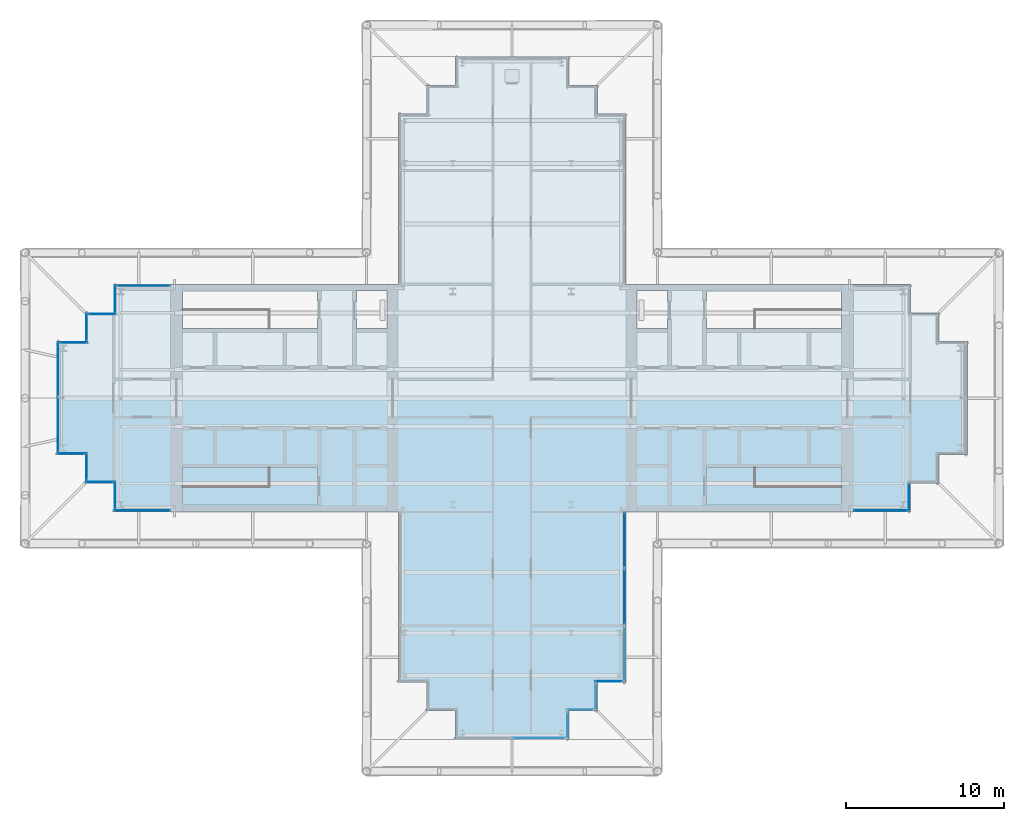
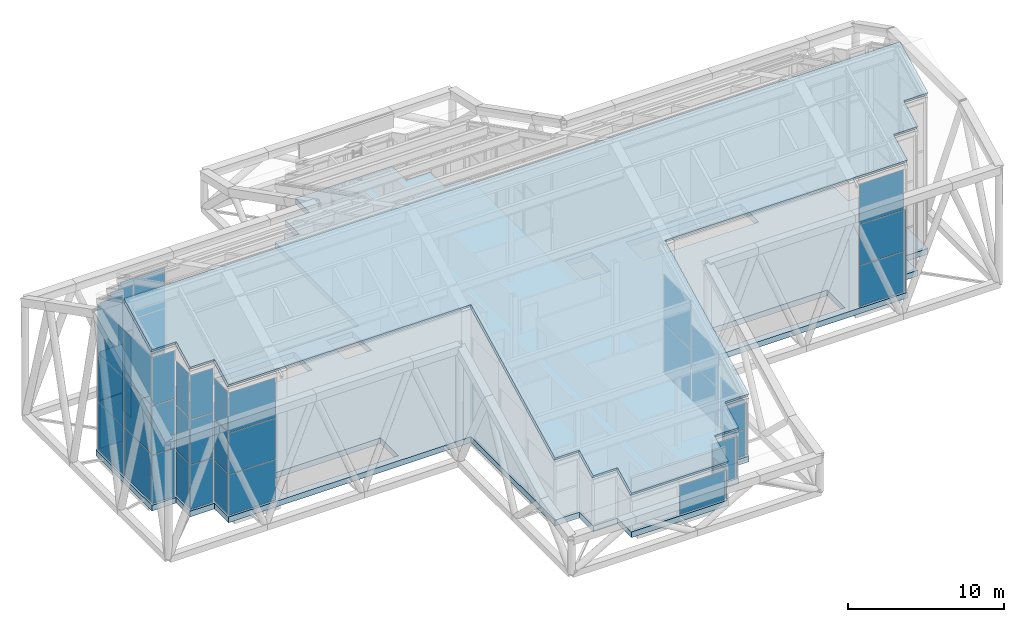
# One storey, part 18 of 25: 52 plates, 2 slabs, 22 elements without a shape of their own.
"""IFC4 building model written with IfcOpenShell, lengths in metres."""

from ifc_helpers import new_model, si_unit, direction, frame, origin, origin_2d, place, context, subcontext, project, spatial, polyline, rectangle, outline, extrude, material, layer, layer_set, type_object, element, aggregate, save


model = new_model("IFC4")

# Units and contexts
model_context = context("Model", 3, precision=1e-05, world=origin(), true_north=direction((0.0, 1.0)))
body_context = subcontext(model_context, "Body", "Model", "MODEL_VIEW")
ifc_project = project(units=[si_unit("LENGTHUNIT", "METRE"), si_unit("AREAUNIT", "SQUARE_METRE"), si_unit("VOLUMEUNIT", "CUBIC_METRE"), si_unit("PLANEANGLEUNIT", "RADIAN"), si_unit("MASSUNIT", "GRAM", prefix="KILO")], contexts=[model_context])

# Site, building, storey
site_placement = place(None, origin())
site = spatial("IfcSite", under=ifc_project, at=site_placement, CompositionType="ELEMENT")
building_placement = place(site_placement, origin())
building = spatial("IfcBuilding", under=site, at=building_placement, Name="Fustian Cross Tower", CompositionType="ELEMENT")
storey_placement = place(building_placement, frame((0.0, 0.0, 247.5)))
storey = spatial("IfcBuildingStorey", under=building, at=storey_placement, Name="L77", CompositionType="ELEMENT", Elevation=247.5)

# Slab
ifc_material_1 = material(Name="Concrete C40/50", Category="concrete")
ifc_layer_1 = layer(ifc_material_1, 0.300048828125)
ifc_layer_set_1 = layer_set([ifc_layer_1], Name="Concrete C40/50")
slab_type_1 = type_object("IfcSlabType", Name="CROWN ROOF 300", PredefinedType="ROOF", material=ifc_layer_set_1)
slab_1_placement = place(storey_placement, frame((-28.800048828125, -3.60009765625, 12.203369140625), z_axis=(0.0, -0.453805918275, 0.891100549062), x_axis=(1.0, 0.0, 0.0)))
element("IfcSlab", 1, at=slab_1_placement, inside=storey, type_object=slab_type_1, Name="CROWN ROOF SOUTH", PredefinedType="ROOF", context=body_context, shape_type="SweptSolid", body=[
    extrude(outline(polyline([(0.0, 0.0), (1.800048828125, 0.0), (1.800048828125, -2.0198326344745197), (3.60009765625, -2.0198326344745197), (3.60009765625, -4.039882822794024), (7.199951171875, -4.039882822794024), (21.60009765625, -4.039882822794024), (21.60009765625, -16.15974481394504), (23.400146484375, -16.15974481394504), (23.400146484375, -18.179684209804027), (25.199951171875, -18.179684209804027), (25.199951171875, -20.19973439812353), (32.400146484375, -20.19973439812353), (32.400146484375, -18.179684209804027), (34.199951171875, -18.179684209804027), (34.199951171875, -16.15974481394504), (36.0, -16.15974481394504), (36.0, -4.039882822794024), (50.400146484375, -4.039882822794024), (54.0, -4.039882822794024), (54.0, -2.0198326344745197), (55.800048828125, -2.0198326344745197), (55.800048828125, 0.0), (57.60009765625, 0.0), (57.60009765625, 4.039989584178494), (0.0, 4.039989584178494), (0.0, 0.0)])), origin(), (0.0, 0.0, -1.0), 0.300048828125),
])

# Curtain wall, plates
ifc_material_2 = material(Name="Glass", Category="glass")
curtain_wall_type = type_object("IfcCurtainWallType", Name="CW6 CURTAIN WALL", PredefinedType="NOTDEFINED", material=ifc_material_2)
curtain_wall_1_placement = place(storey_placement, origin())
curtain_wall_1 = element("IfcCurtainWall", 2, at=curtain_wall_1_placement, inside=storey, type_object=curtain_wall_type, Name="Curtain wall CW6", PredefinedType="NOTDEFINED")
ifc_material_3 = material(Name="Glass", Category="glass")
ifc_layer_2 = layer(ifc_material_3, 0.028076171875)
ifc_layer_set_2 = layer_set([ifc_layer_2], Name="Glass")
plate_type = type_object("IfcPlateType", Name="CW6 PANEL IGU28", PredefinedType="CURTAIN_PANEL", material=ifc_layer_set_2)
plate_1_placement = place(storey_placement, frame((23.31005859375, -7.110107421875, 0.06005859375), z_axis=(0.0, 0.0, 1.0), x_axis=(1.0, 0.0, 0.0)))
plate_1 = element("IfcPlate", 3, at=plate_1_placement, type_object=plate_type, Name="CW6 panel 1.1", PredefinedType="CURTAIN_PANEL", context=body_context, shape_type="SweptSolid", body=[
    extrude(rectangle(XDim=3.300048828125, YDim=0.028076171875, at=origin_2d()), origin(), (0.0, 0.0, 1.0), 3.153076171875),
])
plate_2_placement = place(storey_placement, frame((23.31005859375, -7.110107421875, 3.27294921875), z_axis=(0.0, 0.0, 1.0), x_axis=(1.0, 0.0, 0.0)))
plate_2 = element("IfcPlate", 4, at=plate_2_placement, type_object=plate_type, Name="CW6 panel 1.2", PredefinedType="CURTAIN_PANEL", context=body_context, shape_type="SweptSolid", body=[
    extrude(rectangle(XDim=3.300048828125, YDim=0.028076171875, at=origin_2d()), origin(), (0.0, 0.0, 1.0), 3.18310546875),
])
plate_3_placement = place(storey_placement, frame((23.31005859375, -7.110107421875, 6.51611328125), z_axis=(0.0, 0.0, 1.0), x_axis=(1.0, 0.0, 0.0)))
plate_3 = element("IfcPlate", 5, at=plate_3_placement, type_object=plate_type, Name="CW6 panel 1.3", PredefinedType="CURTAIN_PANEL", context=body_context, shape_type="SweptSolid", body=[
    extrude(rectangle(XDim=3.300048828125, YDim=0.028076171875, at=origin_2d()), origin(), (0.0, 0.0, 1.0), 3.153076171875),
])
aggregate(curtain_wall_1, [plate_1, plate_2, plate_3])

curtain_wall_2_placement = place(storey_placement, origin())
curtain_wall_2 = element("IfcCurtainWall", 6, at=curtain_wall_2_placement, inside=storey, type_object=curtain_wall_type, Name="Curtain wall CW6", PredefinedType="NOTDEFINED")
plate_4_placement = place(storey_placement, frame((25.110107421875, -6.300048828125, 0.06005859375), z_axis=(0.0, 0.0, 1.0), x_axis=(0.0, 1.0, 0.0)))
plate_4 = element("IfcPlate", 7, at=plate_4_placement, type_object=plate_type, Name="CW6 panel 1.1", PredefinedType="CURTAIN_PANEL", context=body_context, shape_type="SweptSolid", body=[
    extrude(rectangle(XDim=1.679931640625, YDim=0.028076171875, at=origin_2d()), origin(), (0.0, 0.0, 1.0), 3.1376953125),
])
plate_5_placement = place(storey_placement, frame((25.110107421875, -6.300048828125, 3.2578125), z_axis=(0.0, 0.0, 1.0), x_axis=(0.0, 1.0, 0.0)))
plate_5 = element("IfcPlate", 8, at=plate_5_placement, type_object=plate_type, Name="CW6 panel 1.2", PredefinedType="CURTAIN_PANEL", context=body_context, shape_type="SweptSolid", body=[
    extrude(rectangle(XDim=1.679931640625, YDim=0.028076171875, at=origin_2d()), origin(), (0.0, 0.0, 1.0), 3.167724609375),
])
aggregate(curtain_wall_2, [plate_4, plate_5])

curtain_wall_3_placement = place(storey_placement, origin())
curtain_wall_3 = element("IfcCurtainWall", 9, at=curtain_wall_3_placement, inside=storey, type_object=curtain_wall_type, Name="Curtain wall CW6", PredefinedType="NOTDEFINED")
plate_6_placement = place(storey_placement, frame((-23.31005859375, 7.110107421875, 0.06005859375), z_axis=(0.0, 0.0, 1.0), x_axis=(-1.0, 0.0, 0.0)))
plate_6 = element("IfcPlate", 10, at=plate_6_placement, type_object=plate_type, Name="CW6 panel 1.1", PredefinedType="CURTAIN_PANEL", context=body_context, shape_type="SweptSolid", body=[
    extrude(rectangle(XDim=3.300048828125, YDim=0.028076171875, at=origin_2d()), origin(), (0.0, 0.0, 1.0), 3.153076171875),
])
plate_7_placement = place(storey_placement, frame((-23.31005859375, 7.110107421875, 3.27294921875), z_axis=(0.0, 0.0, 1.0), x_axis=(-1.0, 0.0, 0.0)))
plate_7 = element("IfcPlate", 11, at=plate_7_placement, type_object=plate_type, Name="CW6 panel 1.2", PredefinedType="CURTAIN_PANEL", context=body_context, shape_type="SweptSolid", body=[
    extrude(rectangle(XDim=3.300048828125, YDim=0.028076171875, at=origin_2d()), origin(), (0.0, 0.0, 1.0), 3.18310546875),
])
plate_8_placement = place(storey_placement, frame((-23.31005859375, 7.110107421875, 6.51611328125), z_axis=(0.0, 0.0, 1.0), x_axis=(-1.0, 0.0, 0.0)))
plate_8 = element("IfcPlate", 12, at=plate_8_placement, type_object=plate_type, Name="CW6 panel 1.3", PredefinedType="CURTAIN_PANEL", context=body_context, shape_type="SweptSolid", body=[
    extrude(rectangle(XDim=3.300048828125, YDim=0.028076171875, at=origin_2d()), origin(), (0.0, 0.0, 1.0), 3.153076171875),
])
aggregate(curtain_wall_3, [plate_6, plate_7, plate_8])

curtain_wall_4_placement = place(storey_placement, origin())
curtain_wall_4 = element("IfcCurtainWall", 13, at=curtain_wall_4_placement, inside=storey, type_object=curtain_wall_type, Name="Curtain wall CW6", PredefinedType="NOTDEFINED")
plate_9_placement = place(storey_placement, frame((-25.110107421875, 6.300048828125, 0.06005859375), z_axis=(0.0, 0.0, 1.0), x_axis=(0.0, -1.0, 0.0)))
plate_9 = element("IfcPlate", 14, at=plate_9_placement, type_object=plate_type, Name="CW6 panel 1.1", PredefinedType="CURTAIN_PANEL", context=body_context, shape_type="SweptSolid", body=[
    extrude(rectangle(XDim=1.679931640625, YDim=0.028076171875, at=origin_2d()), origin(), (0.0, 0.0, 1.0), 3.1376953125),
])
plate_10_placement = place(storey_placement, frame((-25.110107421875, 6.300048828125, 3.2578125), z_axis=(0.0, 0.0, 1.0), x_axis=(0.0, -1.0, 0.0)))
plate_10 = element("IfcPlate", 15, at=plate_10_placement, type_object=plate_type, Name="CW6 panel 1.2", PredefinedType="CURTAIN_PANEL", context=body_context, shape_type="SweptSolid", body=[
    extrude(rectangle(XDim=1.679931640625, YDim=0.028076171875, at=origin_2d()), origin(), (0.0, 0.0, 1.0), 3.167724609375),
])
plate_11_placement = place(storey_placement, frame((-25.110107421875, 6.300048828125, 6.485595703125), z_axis=(0.0, 0.0, 1.0), x_axis=(0.0, -1.0, 0.0)))
plate_11 = element("IfcPlate", 16, at=plate_11_placement, type_object=plate_type, Name="CW6 panel 1.3", PredefinedType="CURTAIN_PANEL", context=body_context, shape_type="SweptSolid", body=[
    extrude(rectangle(XDim=1.679931640625, YDim=0.028076171875, at=origin_2d()), origin(), (0.0, 0.0, 1.0), 3.1376953125),
])
aggregate(curtain_wall_4, [plate_9, plate_10, plate_11])

curtain_wall_5_placement = place(storey_placement, origin())
curtain_wall_5 = element("IfcCurtainWall", 17, at=curtain_wall_5_placement, inside=storey, type_object=curtain_wall_type, Name="Curtain wall CW6", PredefinedType="NOTDEFINED")
plate_12_placement = place(storey_placement, frame((-25.919921875, 5.31005859375, 0.06005859375), z_axis=(0.0, 0.0, 1.0), x_axis=(-1.0, 0.0, 0.0)))
plate_12 = element("IfcPlate", 18, at=plate_12_placement, type_object=plate_type, Name="CW6 panel 1.1", PredefinedType="CURTAIN_PANEL", context=body_context, shape_type="SweptSolid", body=[
    extrude(rectangle(XDim=1.679931640625, YDim=0.028076171875, at=origin_2d()), origin(), (0.0, 0.0, 1.0), 3.45849609375),
])
plate_13_placement = place(storey_placement, frame((-25.919921875, 5.31005859375, 3.57861328125), z_axis=(0.0, 0.0, 1.0), x_axis=(-1.0, 0.0, 0.0)))
plate_13 = element("IfcPlate", 19, at=plate_13_placement, type_object=plate_type, Name="CW6 panel 1.2", PredefinedType="CURTAIN_PANEL", context=body_context, shape_type="SweptSolid", body=[
    extrude(rectangle(XDim=1.679931640625, YDim=0.028076171875, at=origin_2d()), origin(), (0.0, 0.0, 1.0), 3.488525390625),
])
plate_14_placement = place(storey_placement, frame((-25.919921875, 5.31005859375, 7.127197265625), z_axis=(0.0, 0.0, 1.0), x_axis=(-1.0, 0.0, 0.0)))
plate_14 = element("IfcPlate", 20, at=plate_14_placement, type_object=plate_type, Name="CW6 panel 1.3", PredefinedType="CURTAIN_PANEL", context=body_context, shape_type="SweptSolid", body=[
    extrude(rectangle(XDim=1.679931640625, YDim=0.028076171875, at=origin_2d()), origin(), (0.0, 0.0, 1.0), 3.45849609375),
])
aggregate(curtain_wall_5, [plate_12, plate_13, plate_14])

curtain_wall_6_placement = place(storey_placement, origin())
curtain_wall_6 = element("IfcCurtainWall", 21, at=curtain_wall_6_placement, inside=storey, type_object=curtain_wall_type, Name="Curtain wall CW6", PredefinedType="NOTDEFINED")
plate_15_placement = place(storey_placement, frame((-26.909912109375, 4.5, 0.06005859375), z_axis=(0.0, 0.0, 1.0), x_axis=(0.0, -1.0, 0.0)))
plate_15 = element("IfcPlate", 22, at=plate_15_placement, type_object=plate_type, Name="CW6 panel 1.1", PredefinedType="CURTAIN_PANEL", context=body_context, shape_type="SweptSolid", body=[
    extrude(rectangle(XDim=1.679931640625, YDim=0.028076171875, at=origin_2d()), origin(), (0.0, 0.0, 1.0), 3.443359375),
])
plate_16_placement = place(storey_placement, frame((-26.909912109375, 4.5, 3.5634765625), z_axis=(0.0, 0.0, 1.0), x_axis=(0.0, -1.0, 0.0)))
plate_16 = element("IfcPlate", 23, at=plate_16_placement, type_object=plate_type, Name="CW6 panel 1.2", PredefinedType="CURTAIN_PANEL", context=body_context, shape_type="SweptSolid", body=[
    extrude(rectangle(XDim=1.679931640625, YDim=0.028076171875, at=origin_2d()), origin(), (0.0, 0.0, 1.0), 3.473388671875),
])
plate_17_placement = place(storey_placement, frame((-26.909912109375, 4.5, 7.0966796875), z_axis=(0.0, 0.0, 1.0), x_axis=(0.0, -1.0, 0.0)))
plate_17 = element("IfcPlate", 24, at=plate_17_placement, type_object=plate_type, Name="CW6 panel 1.3", PredefinedType="CURTAIN_PANEL", context=body_context, shape_type="SweptSolid", body=[
    extrude(rectangle(XDim=1.679931640625, YDim=0.028076171875, at=origin_2d()), origin(), (0.0, 0.0, 1.0), 3.443359375),
])
aggregate(curtain_wall_6, [plate_15, plate_16, plate_17])

curtain_wall_7_placement = place(storey_placement, origin())
curtain_wall_7 = element("IfcCurtainWall", 25, at=curtain_wall_7_placement, inside=storey, type_object=curtain_wall_type, Name="Curtain wall CW6", PredefinedType="NOTDEFINED")
plate_18_placement = place(storey_placement, frame((-27.719970703125, 3.510009765625, 0.06005859375), z_axis=(0.0, 0.0, 1.0), x_axis=(-1.0, 0.0, 0.0)))
plate_18 = element("IfcPlate", 26, at=plate_18_placement, type_object=plate_type, Name="CW6 panel 1.1", PredefinedType="CURTAIN_PANEL", context=body_context, shape_type="SweptSolid", body=[
    extrude(rectangle(XDim=1.679931640625, YDim=0.028076171875, at=origin_2d()), origin(), (0.0, 0.0, 1.0), 3.76416015625),
])
plate_19_placement = place(storey_placement, frame((-27.719970703125, 3.510009765625, 3.88427734375), z_axis=(0.0, 0.0, 1.0), x_axis=(-1.0, 0.0, 0.0)))
plate_19 = element("IfcPlate", 27, at=plate_19_placement, type_object=plate_type, Name="CW6 panel 1.2", PredefinedType="CURTAIN_PANEL", context=body_context, shape_type="SweptSolid", body=[
    extrude(rectangle(XDim=1.679931640625, YDim=0.028076171875, at=origin_2d()), origin(), (0.0, 0.0, 1.0), 3.794189453125),
])
plate_20_placement = place(storey_placement, frame((-27.719970703125, 3.510009765625, 7.73828125), z_axis=(0.0, 0.0, 1.0), x_axis=(-1.0, 0.0, 0.0)))
plate_20 = element("IfcPlate", 28, at=plate_20_placement, type_object=plate_type, Name="CW6 panel 1.3", PredefinedType="CURTAIN_PANEL", context=body_context, shape_type="SweptSolid", body=[
    extrude(rectangle(XDim=1.679931640625, YDim=0.028076171875, at=origin_2d()), origin(), (0.0, 0.0, 1.0), 3.76416015625),
])
aggregate(curtain_wall_7, [plate_18, plate_19, plate_20])

curtain_wall_8_placement = place(storey_placement, origin())
curtain_wall_8 = element("IfcCurtainWall", 29, at=curtain_wall_8_placement, inside=storey, type_object=curtain_wall_type, Name="Curtain wall CW6", PredefinedType="NOTDEFINED")
plate_21_placement = place(storey_placement, frame((-28.7099609375, 1.844970703125, 0.06005859375), z_axis=(0.0, 0.0, 1.0), x_axis=(0.0, -1.0, 0.0)))
plate_21 = element("IfcPlate", 30, at=plate_21_placement, type_object=plate_type, Name="CW6 panel 1.1", PredefinedType="CURTAIN_PANEL", context=body_context, shape_type="SweptSolid", body=[
    extrude(rectangle(XDim=3.389892578125, YDim=0.028076171875, at=origin_2d()), origin(), (0.0, 0.0, 1.0), 3.748779296875),
])
plate_22_placement = place(storey_placement, frame((-28.7099609375, 1.844970703125, 3.868896484375), z_axis=(0.0, 0.0, 1.0), x_axis=(0.0, -1.0, 0.0)))
plate_22 = element("IfcPlate", 31, at=plate_22_placement, type_object=plate_type, Name="CW6 panel 1.2", PredefinedType="CURTAIN_PANEL", context=body_context, shape_type="SweptSolid", body=[
    extrude(rectangle(XDim=3.389892578125, YDim=0.028076171875, at=origin_2d()), origin(), (0.0, 0.0, 1.0), 3.77880859375),
])
plate_23_placement = place(storey_placement, frame((-28.7099609375, 1.844970703125, 7.7080078125), z_axis=(0.0, 0.0, 1.0), x_axis=(0.0, -1.0, 0.0)))
plate_23 = element("IfcPlate", 32, at=plate_23_placement, type_object=plate_type, Name="CW6 panel 1.3", PredefinedType="CURTAIN_PANEL", context=body_context, shape_type="SweptSolid", body=[
    extrude(rectangle(XDim=3.389892578125, YDim=0.028076171875, at=origin_2d()), origin(), (0.0, 0.0, 1.0), 3.748779296875),
])
aggregate(curtain_wall_8, [plate_21, plate_22, plate_23])

curtain_wall_9_placement = place(storey_placement, origin())
curtain_wall_9 = element("IfcCurtainWall", 33, at=curtain_wall_9_placement, inside=storey, type_object=curtain_wall_type, Name="Curtain wall CW6", PredefinedType="NOTDEFINED")
plate_24_placement = place(storey_placement, frame((-28.7099609375, -1.695068359375, 0.06005859375), z_axis=(0.0, 0.0, 1.0), x_axis=(0.0, -1.0, 0.0)))
plate_24 = element("IfcPlate", 34, at=plate_24_placement, type_object=plate_type, Name="CW6 panel 1.1", PredefinedType="CURTAIN_PANEL", context=body_context, shape_type="SweptSolid", body=[
    extrude(rectangle(XDim=3.330078125, YDim=0.028076171875, at=origin_2d()), origin(), (0.0, 0.0, 1.0), 3.779541015625),
])
plate_25_placement = place(storey_placement, frame((-28.7099609375, -1.695068359375, 3.8994140625), z_axis=(0.0, 0.0, 1.0), x_axis=(0.0, -1.0, 0.0)))
plate_25 = element("IfcPlate", 35, at=plate_25_placement, type_object=plate_type, Name="CW6 panel 1.2", PredefinedType="CURTAIN_PANEL", context=body_context, shape_type="SweptSolid", body=[
    extrude(rectangle(XDim=3.330078125, YDim=0.028076171875, at=origin_2d()), origin(), (0.0, 0.0, 1.0), 3.809326171875),
])
plate_26_placement = place(storey_placement, frame((-28.7099609375, -1.695068359375, 7.76904296875), z_axis=(0.0, 0.0, 1.0), x_axis=(0.0, -1.0, 0.0)))
plate_26 = element("IfcPlate", 36, at=plate_26_placement, type_object=plate_type, Name="CW6 panel 1.3", PredefinedType="CURTAIN_PANEL", context=body_context, shape_type="SweptSolid", body=[
    extrude(rectangle(XDim=3.330078125, YDim=0.028076171875, at=origin_2d()), origin(), (0.0, 0.0, 1.0), 3.779541015625),
])
aggregate(curtain_wall_9, [plate_24, plate_25, plate_26])

curtain_wall_10_placement = place(storey_placement, origin())
curtain_wall_10 = element("IfcCurtainWall", 37, at=curtain_wall_10_placement, inside=storey, type_object=curtain_wall_type, Name="Curtain wall CW6", PredefinedType="NOTDEFINED")
plate_27_placement = place(storey_placement, frame((-27.89990234375, -3.510009765625, 0.06005859375), z_axis=(0.0, 0.0, 1.0), x_axis=(1.0, 0.0, 0.0)))
plate_27 = element("IfcPlate", 38, at=plate_27_placement, type_object=plate_type, Name="CW6 panel 1.1", PredefinedType="CURTAIN_PANEL", context=body_context, shape_type="SweptSolid", body=[
    extrude(rectangle(XDim=1.679931640625, YDim=0.028076171875, at=origin_2d()), origin(), (0.0, 0.0, 1.0), 3.76416015625),
])
plate_28_placement = place(storey_placement, frame((-27.89990234375, -3.510009765625, 3.88427734375), z_axis=(0.0, 0.0, 1.0), x_axis=(1.0, 0.0, 0.0)))
plate_28 = element("IfcPlate", 39, at=plate_28_placement, type_object=plate_type, Name="CW6 panel 1.2", PredefinedType="CURTAIN_PANEL", context=body_context, shape_type="SweptSolid", body=[
    extrude(rectangle(XDim=1.679931640625, YDim=0.028076171875, at=origin_2d()), origin(), (0.0, 0.0, 1.0), 3.794189453125),
])
plate_29_placement = place(storey_placement, frame((-27.89990234375, -3.510009765625, 7.73828125), z_axis=(0.0, 0.0, 1.0), x_axis=(1.0, 0.0, 0.0)))
plate_29 = element("IfcPlate", 40, at=plate_29_placement, type_object=plate_type, Name="CW6 panel 1.3", PredefinedType="CURTAIN_PANEL", context=body_context, shape_type="SweptSolid", body=[
    extrude(rectangle(XDim=1.679931640625, YDim=0.028076171875, at=origin_2d()), origin(), (0.0, 0.0, 1.0), 3.76416015625),
])
aggregate(curtain_wall_10, [plate_27, plate_28, plate_29])

curtain_wall_11_placement = place(storey_placement, origin())
curtain_wall_11 = element("IfcCurtainWall", 41, at=curtain_wall_11_placement, inside=storey, type_object=curtain_wall_type, Name="Curtain wall CW6", PredefinedType="NOTDEFINED")
plate_30_placement = place(storey_placement, frame((-26.909912109375, -4.320068359375, 0.06005859375), z_axis=(0.0, 0.0, 1.0), x_axis=(0.0, -1.0, 0.0)))
plate_30 = element("IfcPlate", 42, at=plate_30_placement, type_object=plate_type, Name="CW6 panel 1.1", PredefinedType="CURTAIN_PANEL", context=body_context, shape_type="SweptSolid", body=[
    extrude(rectangle(XDim=1.679931640625, YDim=0.028076171875, at=origin_2d()), origin(), (0.0, 0.0, 1.0), 3.473876953125),
])
plate_31_placement = place(storey_placement, frame((-26.909912109375, -4.320068359375, 3.593994140625), z_axis=(0.0, 0.0, 1.0), x_axis=(0.0, -1.0, 0.0)))
plate_31 = element("IfcPlate", 43, at=plate_31_placement, type_object=plate_type, Name="CW6 panel 1.2", PredefinedType="CURTAIN_PANEL", context=body_context, shape_type="SweptSolid", body=[
    extrude(rectangle(XDim=1.679931640625, YDim=0.028076171875, at=origin_2d()), origin(), (0.0, 0.0, 1.0), 3.50390625),
])
plate_32_placement = place(storey_placement, frame((-26.909912109375, -4.320068359375, 7.15771484375), z_axis=(0.0, 0.0, 1.0), x_axis=(0.0, -1.0, 0.0)))
plate_32 = element("IfcPlate", 44, at=plate_32_placement, type_object=plate_type, Name="CW6 panel 1.3", PredefinedType="CURTAIN_PANEL", context=body_context, shape_type="SweptSolid", body=[
    extrude(rectangle(XDim=1.679931640625, YDim=0.028076171875, at=origin_2d()), origin(), (0.0, 0.0, 1.0), 3.473876953125),
])
aggregate(curtain_wall_11, [plate_30, plate_31, plate_32])

curtain_wall_12_placement = place(storey_placement, origin())
curtain_wall_12 = element("IfcCurtainWall", 45, at=curtain_wall_12_placement, inside=storey, type_object=curtain_wall_type, Name="Curtain wall CW6", PredefinedType="NOTDEFINED")
plate_33_placement = place(storey_placement, frame((-26.10009765625, -5.31005859375, 0.06005859375), z_axis=(0.0, 0.0, 1.0), x_axis=(1.0, 0.0, 0.0)))
plate_33 = element("IfcPlate", 46, at=plate_33_placement, type_object=plate_type, Name="CW6 panel 1.1", PredefinedType="CURTAIN_PANEL", context=body_context, shape_type="SweptSolid", body=[
    extrude(rectangle(XDim=1.679931640625, YDim=0.028076171875, at=origin_2d()), origin(), (0.0, 0.0, 1.0), 3.45849609375),
])
plate_34_placement = place(storey_placement, frame((-26.10009765625, -5.31005859375, 3.57861328125), z_axis=(0.0, 0.0, 1.0), x_axis=(1.0, 0.0, 0.0)))
plate_34 = element("IfcPlate", 47, at=plate_34_placement, type_object=plate_type, Name="CW6 panel 1.2", PredefinedType="CURTAIN_PANEL", context=body_context, shape_type="SweptSolid", body=[
    extrude(rectangle(XDim=1.679931640625, YDim=0.028076171875, at=origin_2d()), origin(), (0.0, 0.0, 1.0), 3.488525390625),
])
plate_35_placement = place(storey_placement, frame((-26.10009765625, -5.31005859375, 7.127197265625), z_axis=(0.0, 0.0, 1.0), x_axis=(1.0, 0.0, 0.0)))
plate_35 = element("IfcPlate", 48, at=plate_35_placement, type_object=plate_type, Name="CW6 panel 1.3", PredefinedType="CURTAIN_PANEL", context=body_context, shape_type="SweptSolid", body=[
    extrude(rectangle(XDim=1.679931640625, YDim=0.028076171875, at=origin_2d()), origin(), (0.0, 0.0, 1.0), 3.45849609375),
])
aggregate(curtain_wall_12, [plate_33, plate_34, plate_35])

curtain_wall_13_placement = place(storey_placement, origin())
curtain_wall_13 = element("IfcCurtainWall", 49, at=curtain_wall_13_placement, inside=storey, type_object=curtain_wall_type, Name="Curtain wall CW6", PredefinedType="NOTDEFINED")
plate_36_placement = place(storey_placement, frame((-25.110107421875, -6.1201171875, 0.06005859375), z_axis=(0.0, 0.0, 1.0), x_axis=(0.0, -1.0, 0.0)))
plate_36 = element("IfcPlate", 50, at=plate_36_placement, type_object=plate_type, Name="CW6 panel 1.1", PredefinedType="CURTAIN_PANEL", context=body_context, shape_type="SweptSolid", body=[
    extrude(rectangle(XDim=1.679931640625, YDim=0.028076171875, at=origin_2d()), origin(), (0.0, 0.0, 1.0), 3.168212890625),
])
plate_37_placement = place(storey_placement, frame((-25.110107421875, -6.1201171875, 3.288330078125), z_axis=(0.0, 0.0, 1.0), x_axis=(0.0, -1.0, 0.0)))
plate_37 = element("IfcPlate", 51, at=plate_37_placement, type_object=plate_type, Name="CW6 panel 1.2", PredefinedType="CURTAIN_PANEL", context=body_context, shape_type="SweptSolid", body=[
    extrude(rectangle(XDim=1.679931640625, YDim=0.028076171875, at=origin_2d()), origin(), (0.0, 0.0, 1.0), 3.1982421875),
])
plate_38_placement = place(storey_placement, frame((-25.110107421875, -6.1201171875, 6.546875), z_axis=(0.0, 0.0, 1.0), x_axis=(0.0, -1.0, 0.0)))
plate_38 = element("IfcPlate", 52, at=plate_38_placement, type_object=plate_type, Name="CW6 panel 1.3", PredefinedType="CURTAIN_PANEL", context=body_context, shape_type="SweptSolid", body=[
    extrude(rectangle(XDim=1.679931640625, YDim=0.028076171875, at=origin_2d()), origin(), (0.0, 0.0, 1.0), 3.168212890625),
])
aggregate(curtain_wall_13, [plate_36, plate_37, plate_38])

curtain_wall_14_placement = place(storey_placement, origin())
curtain_wall_14 = element("IfcCurtainWall", 53, at=curtain_wall_14_placement, inside=storey, type_object=curtain_wall_type, Name="Curtain wall CW6", PredefinedType="NOTDEFINED")
plate_39_placement = place(storey_placement, frame((-23.39990234375, -7.110107421875, 0.06005859375), z_axis=(0.0, 0.0, 1.0), x_axis=(1.0, 0.0, 0.0)))
plate_39 = element("IfcPlate", 54, at=plate_39_placement, type_object=plate_type, Name="CW6 panel 1.1", PredefinedType="CURTAIN_PANEL", context=body_context, shape_type="SweptSolid", body=[
    extrude(rectangle(XDim=3.47998046875, YDim=0.028076171875, at=origin_2d()), origin(), (0.0, 0.0, 1.0), 3.153076171875),
])
plate_40_placement = place(storey_placement, frame((-23.39990234375, -7.110107421875, 3.27294921875), z_axis=(0.0, 0.0, 1.0), x_axis=(1.0, 0.0, 0.0)))
plate_40 = element("IfcPlate", 55, at=plate_40_placement, type_object=plate_type, Name="CW6 panel 1.2", PredefinedType="CURTAIN_PANEL", context=body_context, shape_type="SweptSolid", body=[
    extrude(rectangle(XDim=3.47998046875, YDim=0.028076171875, at=origin_2d()), origin(), (0.0, 0.0, 1.0), 3.18310546875),
])
plate_41_placement = place(storey_placement, frame((-23.39990234375, -7.110107421875, 6.51611328125), z_axis=(0.0, 0.0, 1.0), x_axis=(1.0, 0.0, 0.0)))
plate_41 = element("IfcPlate", 56, at=plate_41_placement, type_object=plate_type, Name="CW6 panel 1.3", PredefinedType="CURTAIN_PANEL", context=body_context, shape_type="SweptSolid", body=[
    extrude(rectangle(XDim=3.47998046875, YDim=0.028076171875, at=origin_2d()), origin(), (0.0, 0.0, 1.0), 3.153076171875),
])
aggregate(curtain_wall_14, [plate_39, plate_40, plate_41])

# Curtain wall, plate
curtain_wall_15_placement = place(storey_placement, origin())
curtain_wall_15 = element("IfcCurtainWall", 57, at=curtain_wall_15_placement, inside=storey, type_object=curtain_wall_type, Name="Curtain wall CW6", PredefinedType="NOTDEFINED")
plate_42_placement = place(storey_placement, frame((1.695068359375, -21.510009765625, 0.06005859375), z_axis=(0.0, 0.0, 1.0), x_axis=(1.0, 0.0, 0.0)))
plate_42 = element("IfcPlate", 58, at=plate_42_placement, type_object=plate_type, Name="CW6 panel 1.1", PredefinedType="CURTAIN_PANEL", context=body_context, shape_type="SweptSolid", body=[
    extrude(rectangle(XDim=3.330078125, YDim=0.028076171875, at=origin_2d()), origin(), (0.0, 0.0, 1.0), 2.27587890625),
])
aggregate(curtain_wall_15, [plate_42])

curtain_wall_16_placement = place(storey_placement, origin())
curtain_wall_16 = element("IfcCurtainWall", 59, at=curtain_wall_16_placement, inside=storey, type_object=curtain_wall_type, Name="Curtain wall CW6", PredefinedType="NOTDEFINED")
plate_43_placement = place(storey_placement, frame((3.510009765625, -20.699951171875, 0.06005859375), z_axis=(0.0, 0.0, 1.0), x_axis=(0.0, 1.0, 0.0)))
plate_43 = element("IfcPlate", 60, at=plate_43_placement, type_object=plate_type, Name="CW6 panel 1.1", PredefinedType="CURTAIN_PANEL", context=body_context, shape_type="SweptSolid", body=[
    extrude(rectangle(XDim=1.679931640625, YDim=0.028076171875, at=origin_2d()), origin(), (0.0, 0.0, 1.0), 2.22998046875),
])
aggregate(curtain_wall_16, [plate_43])

curtain_wall_17_placement = place(storey_placement, origin())
curtain_wall_17 = element("IfcCurtainWall", 61, at=curtain_wall_17_placement, inside=storey, type_object=curtain_wall_type, Name="Curtain wall CW6", PredefinedType="NOTDEFINED")
plate_44_placement = place(storey_placement, frame((4.320068359375, -19.7099609375, 0.06005859375), z_axis=(0.0, 0.0, 1.0), x_axis=(1.0, 0.0, 0.0)))
plate_44 = element("IfcPlate", 62, at=plate_44_placement, type_object=plate_type, Name="CW6 panel 1.1", PredefinedType="CURTAIN_PANEL", context=body_context, shape_type="SweptSolid", body=[
    extrude(rectangle(XDim=1.679931640625, YDim=0.028076171875, at=origin_2d()), origin(), (0.0, 0.0, 1.0), 3.1923828125),
])
aggregate(curtain_wall_17, [plate_44])

curtain_wall_18_placement = place(storey_placement, origin())
curtain_wall_18 = element("IfcCurtainWall", 63, at=curtain_wall_18_placement, inside=storey, type_object=curtain_wall_type, Name="Curtain wall CW6", PredefinedType="NOTDEFINED")
plate_45_placement = place(storey_placement, frame((5.31005859375, -18.89990234375, 0.06005859375), z_axis=(0.0, 0.0, 1.0), x_axis=(0.0, 1.0, 0.0)))
plate_45 = element("IfcPlate", 64, at=plate_45_placement, type_object=plate_type, Name="CW6 panel 1.1", PredefinedType="CURTAIN_PANEL", context=body_context, shape_type="SweptSolid", body=[
    extrude(rectangle(XDim=1.679931640625, YDim=0.028076171875, at=origin_2d()), origin(), (0.0, 0.0, 1.0), 3.146728515625),
])
aggregate(curtain_wall_18, [plate_45])

# Curtain wall, plates
curtain_wall_19_placement = place(storey_placement, origin())
curtain_wall_19 = element("IfcCurtainWall", 65, at=curtain_wall_19_placement, inside=storey, type_object=curtain_wall_type, Name="Curtain wall CW6", PredefinedType="NOTDEFINED")
plate_46_placement = place(storey_placement, frame((6.1201171875, -17.909912109375, 0.06005859375), z_axis=(0.0, 0.0, 1.0), x_axis=(1.0, 0.0, 0.0)))
plate_46 = element("IfcPlate", 66, at=plate_46_placement, type_object=plate_type, Name="CW6 panel 1.1", PredefinedType="CURTAIN_PANEL", context=body_context, shape_type="SweptSolid", body=[
    extrude(rectangle(XDim=1.679931640625, YDim=0.028076171875, at=origin_2d()), origin(), (0.0, 0.0, 1.0), 2.024658203125),
])
plate_47_placement = place(storey_placement, frame((6.1201171875, -17.909912109375, 2.14453125), z_axis=(0.0, 0.0, 1.0), x_axis=(1.0, 0.0, 0.0)))
plate_47 = element("IfcPlate", 67, at=plate_47_placement, type_object=plate_type, Name="CW6 panel 1.2", PredefinedType="CURTAIN_PANEL", context=body_context, shape_type="SweptSolid", body=[
    extrude(rectangle(XDim=1.679931640625, YDim=0.028076171875, at=origin_2d()), origin(), (0.0, 0.0, 1.0), 2.024658203125),
])
aggregate(curtain_wall_19, [plate_46, plate_47])

# Curtain wall, plate
curtain_wall_20_placement = place(storey_placement, origin())
curtain_wall_20 = element("IfcCurtainWall", 68, at=curtain_wall_20_placement, inside=storey, type_object=curtain_wall_type, Name="Curtain wall CW6", PredefinedType="NOTDEFINED")
plate_48_placement = place(storey_placement, frame((7.110107421875, -16.199951171875, 0.06005859375), z_axis=(0.0, 0.0, 1.0), x_axis=(0.0, 1.0, 0.0)))
plate_48 = element("IfcPlate", 69, at=plate_48_placement, type_object=plate_type, Name="CW6 panel 1.1", PredefinedType="CURTAIN_PANEL", context=body_context, shape_type="SweptSolid", body=[
    extrude(rectangle(XDim=3.47998046875, YDim=0.028076171875, at=origin_2d()), origin(), (0.0, 0.0, 1.0), 4.063232421875),
])
aggregate(curtain_wall_20, [plate_48])

# Curtain wall, plates
curtain_wall_21_placement = place(storey_placement, origin())
curtain_wall_21 = element("IfcCurtainWall", 70, at=curtain_wall_21_placement, inside=storey, type_object=curtain_wall_type, Name="Curtain wall CW6", PredefinedType="NOTDEFINED")
plate_49_placement = place(storey_placement, frame((7.110107421875, -12.570068359375, 0.06005859375), z_axis=(0.0, 0.0, 1.0), x_axis=(0.0, 1.0, 0.0)))
plate_49 = element("IfcPlate", 71, at=plate_49_placement, type_object=plate_type, Name="CW6 panel 1.1", PredefinedType="CURTAIN_PANEL", context=body_context, shape_type="SweptSolid", body=[
    extrude(rectangle(XDim=3.419921875, YDim=0.028076171875, at=origin_2d()), origin(), (0.0, 0.0, 1.0), 2.918212890625),
])
plate_50_placement = place(storey_placement, frame((7.110107421875, -12.570068359375, 3.03857421875), z_axis=(0.0, 0.0, 1.0), x_axis=(0.0, 1.0, 0.0)))
plate_50 = element("IfcPlate", 72, at=plate_50_placement, type_object=plate_type, Name="CW6 panel 1.2", PredefinedType="CURTAIN_PANEL", context=body_context, shape_type="SweptSolid", body=[
    extrude(rectangle(XDim=3.419921875, YDim=0.028076171875, at=origin_2d()), origin(), (0.0, 0.0, 1.0), 2.918212890625),
])
aggregate(curtain_wall_21, [plate_49, plate_50])

curtain_wall_22_placement = place(storey_placement, origin())
curtain_wall_22 = element("IfcCurtainWall", 73, at=curtain_wall_22_placement, inside=storey, type_object=curtain_wall_type, Name="Curtain wall CW6", PredefinedType="NOTDEFINED")
plate_51_placement = place(storey_placement, frame((7.110107421875, -8.969970703125, 0.06005859375), z_axis=(0.0, 0.0, 1.0), x_axis=(0.0, 1.0, 0.0)))
plate_51 = element("IfcPlate", 74, at=plate_51_placement, type_object=plate_type, Name="CW6 panel 1.1", PredefinedType="CURTAIN_PANEL", context=body_context, shape_type="SweptSolid", body=[
    extrude(rectangle(XDim=3.419921875, YDim=0.028076171875, at=origin_2d()), origin(), (0.0, 0.0, 1.0), 3.8349609375),
])
plate_52_placement = place(storey_placement, frame((7.110107421875, -8.969970703125, 3.955078125), z_axis=(0.0, 0.0, 1.0), x_axis=(0.0, 1.0, 0.0)))
plate_52 = element("IfcPlate", 75, at=plate_52_placement, type_object=plate_type, Name="CW6 panel 1.2", PredefinedType="CURTAIN_PANEL", context=body_context, shape_type="SweptSolid", body=[
    extrude(rectangle(XDim=3.419921875, YDim=0.028076171875, at=origin_2d()), origin(), (0.0, 0.0, 1.0), 3.8349609375),
])
aggregate(curtain_wall_22, [plate_51, plate_52])

# Slab
ifc_material_4 = material(Name="Concrete C40/50", Category="concrete")
ifc_layer_3 = layer(ifc_material_4, 0.449951171875)
ifc_layer_set_3 = layer_set([ifc_layer_3], Name="Concrete C40/50")
slab_type_2 = type_object("IfcSlabType", Name="FLAT SLAB 450", PredefinedType="FLOOR", material=ifc_layer_set_3)
slab_2_placement = place(storey_placement, frame((0.0, 0.0, -0.449951171875)))
element("IfcSlab", 76, at=slab_2_placement, inside=storey, type_object=slab_type_2, Name="FLOOR SLAB L77-1", PredefinedType="FLOOR", context=body_context, shape_type="SweptSolid", body=[
    extrude(outline(polyline([(-3.60009765625, -21.60009765625), (-3.60009765625, -19.800048828125), (-5.39990234375, -19.800048828125), (-5.39990234375, -18.0), (-7.199951171875, -18.0), (-7.199951171875, -7.199951171875), (-25.199951171875, -7.199951171875), (-25.199951171875, -5.39990234375), (-27.0, -5.39990234375), (-27.0, -3.60009765625), (-28.800048828125, -3.60009765625), (-28.800048828125, 3.60009765625), (-27.0, 3.60009765625), (-27.0, 5.39990234375), (-25.199951171875, 5.39990234375), (-25.199951171875, 7.199951171875), (-7.199951171875, 7.199951171875), (-7.199951171875, 18.0), (-5.39990234375, 18.0), (-5.39990234375, 19.800048828125), (-3.60009765625, 19.800048828125), (-3.60009765625, 21.60009765625), (3.60009765625, 21.60009765625), (3.60009765625, 19.800048828125), (5.39990234375, 19.800048828125), (5.39990234375, 18.0), (7.199951171875, 18.0), (7.199951171875, 7.199951171875), (25.199951171875, 7.199951171875), (25.199951171875, 5.39990234375), (27.0, 5.39990234375), (27.0, 3.60009765625), (28.800048828125, 3.60009765625), (28.800048828125, -3.60009765625), (27.0, -3.60009765625), (27.0, -5.39990234375), (25.199951171875, -5.39990234375), (25.199951171875, -7.199951171875), (7.199951171875, -7.199951171875), (7.199951171875, -18.0), (5.39990234375, -18.0), (5.39990234375, -19.800048828125), (3.60009765625, -19.800048828125), (3.60009765625, -21.60009765625), (-3.60009765625, -21.60009765625)]), holes=[polyline([(7.89990234375, 6.800048828125), (7.89990234375, 4.39990234375), (9.85009765625, 4.39990234375), (9.85009765625, 6.800048828125), (7.89990234375, 6.800048828125)]), polyline([(-7.89990234375, 6.800048828125), (-9.85009765625, 6.800048828125), (-9.85009765625, 4.39990234375), (-7.89990234375, 4.39990234375), (-7.89990234375, 6.800048828125)]), polyline([(20.85009765625, 4.39990234375), (20.85009765625, 6.699951171875), (12.300048828125, 6.699951171875), (12.300048828125, 4.39990234375), (20.85009765625, 4.39990234375)]), polyline([(12.300048828125, -6.699951171875), (20.85009765625, -6.699951171875), (20.85009765625, -4.39990234375), (12.300048828125, -4.39990234375), (12.300048828125, -6.699951171875)]), polyline([(-20.85009765625, 6.699951171875), (-20.85009765625, 4.39990234375), (-12.300048828125, 4.39990234375), (-12.300048828125, 6.699951171875), (-20.85009765625, 6.699951171875)]), polyline([(-12.300048828125, -4.39990234375), (-20.85009765625, -4.39990234375), (-20.85009765625, -6.699951171875), (-12.300048828125, -6.699951171875), (-12.300048828125, -4.39990234375)])]), origin(), (0.0, 0.0, 1.0), 0.449951171875),
])

save(model, "model.ifc")
